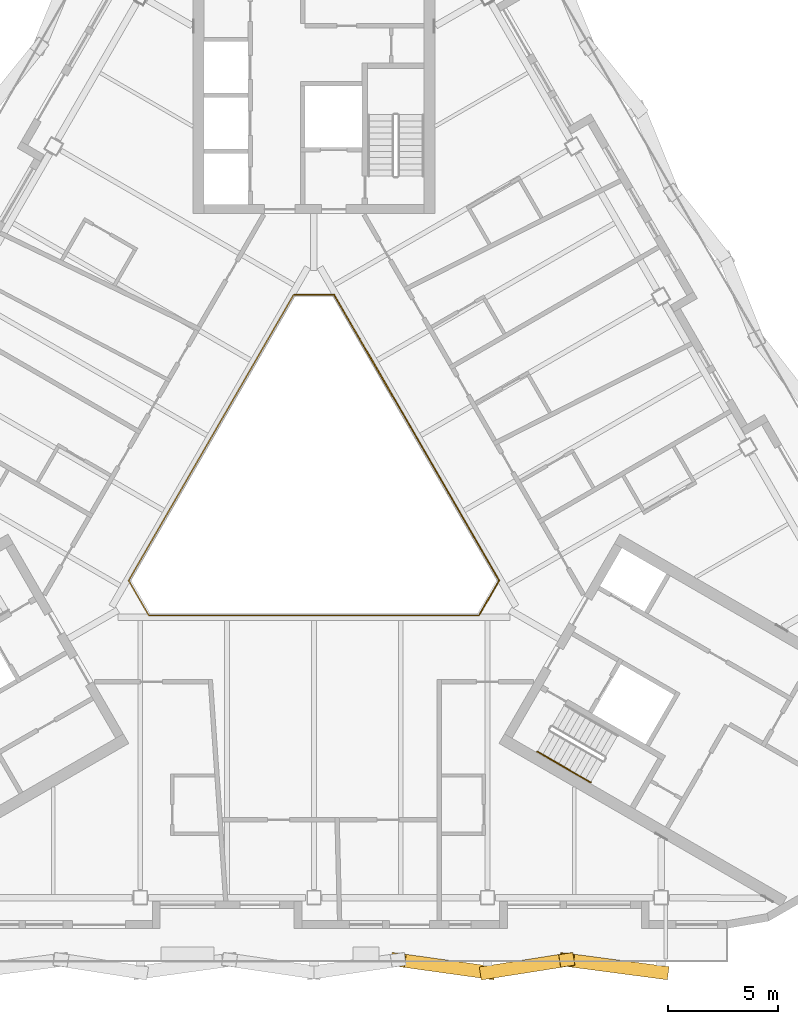
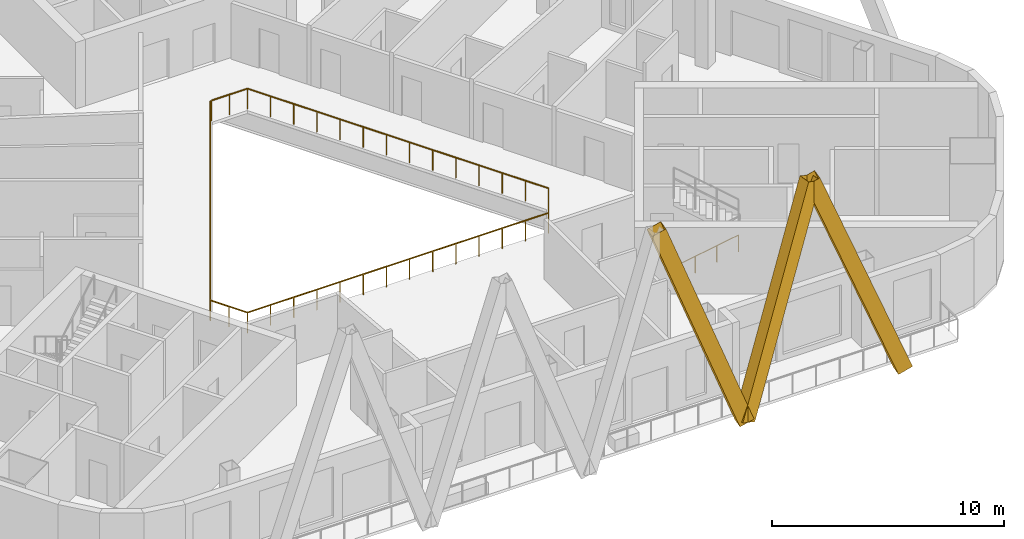
# One storey, part 15 of 18: 3 railings, 3 shading devices.
"""IFC4 building model written with IfcOpenShell, lengths in metres."""

import ifcopenshell
import ifcopenshell.guid

model = None  # the IFC model being written
_history = None  # IfcOwnerHistory: only IFC2X3 demands one
_inside = {}  # id of a spatial element -> (the spatial element, [elements in it])
_under = {}  # id of a project, library or spatial element -> (it, [spatial elements below it])
_declared = {}  # id of a project -> (the project, [libraries it declares])
_typed = {}  # id of a type object -> (the type object, [elements of that type])
_made_of = {}  # id of a material, layer set ... -> (it, [elements and type objects made of it])


def new_model(schema):
    """Start an empty IFC model of exactly this schema.

    Asked for "IFC4X3", IfcOpenShell would pick the latest addendum, in which some entities
    have other attributes; the version numbers below select the first issue.
    IFC2X3 requires an IfcOwnerHistory on every rooted entity: one is made here for all.
    """
    global model, _history
    if schema == "IFC4X3":
        model = ifcopenshell.file(schema_version=(4, 3, 0, 0))
    else:
        model = ifcopenshell.file(schema=schema)
    _inside.clear()
    _under.clear()
    _declared.clear()
    _typed.clear()
    _made_of.clear()
    _history = None
    if model.schema == "IFC2X3":
        org = make("IfcOrganization", Name="unknown")
        user = make(
            "IfcPersonAndOrganization",
            ThePerson=make("IfcPerson", FamilyName="unknown"),
            TheOrganization=org,
        )
        app = make(
            "IfcApplication",
            ApplicationDeveloper=org,
            Version="unknown",
            ApplicationFullName="unknown",
            ApplicationIdentifier="unknown",
        )
        _history = make(
            "IfcOwnerHistory",
            OwningUser=user,
            OwningApplication=app,
            ChangeAction="ADDED",
            CreationDate=0,
        )
    return model


def make(cls, **values):
    """One entity of the class cls with the attributes given. An attribute that is None is left unset."""
    return model.create_entity(
        cls, **{name: value for name, value in values.items() if value is not None}
    )


def rooted(cls, **values):
    """An entity with a GlobalId (a new one), such as an element, a storey or a relation."""
    return make(cls, GlobalId=ifcopenshell.guid.new(), OwnerHistory=_history, **values)


def si_unit(unit_type, name, prefix=None):
    """IfcSIUnit, for example si_unit("LENGTHUNIT", "METRE", prefix="MILLI")."""
    return make("IfcSIUnit", UnitType=unit_type, Prefix=prefix, Name=name)


def assignment(units):
    """IfcUnitAssignment: the units of a project."""
    return None if units is None else make("IfcUnitAssignment", Units=units)


def point(xyz):
    """IfcCartesianPoint."""
    return None if xyz is None else make("IfcCartesianPoint", Coordinates=xyz)


def direction(xyz):
    """IfcDirection."""
    return None if xyz is None else make("IfcDirection", DirectionRatios=xyz)


def frame(location, z_axis=None, x_axis=None):
    """IfcAxis2Placement3D, a coordinate frame: its origin and axes. An axis left out is left unset."""
    return make(
        "IfcAxis2Placement3D",
        Location=point(location),
        Axis=direction(z_axis),
        RefDirection=direction(x_axis),
    )


def frame_2d(location, x_axis=None):
    """IfcAxis2Placement2D, a coordinate frame in the plane: its origin and x axis."""
    return make(
        "IfcAxis2Placement2D", Location=point(location), RefDirection=direction(x_axis)
    )


def origin():
    """The frame at (0, 0, 0) with its axes left unset."""
    return frame((0.0, 0.0, 0.0))


def origin_2d():
    """The frame at (0, 0) in the plane with its x axis left unset."""
    return frame_2d((0.0, 0.0))


def place(relative_to, where):
    """IfcLocalPlacement: puts the frame where relative to a parent placement (None: the world)."""
    return make(
        "IfcLocalPlacement", PlacementRelTo=relative_to, RelativePlacement=where
    )


def context(
    kind, dimensions, precision=None, world=None, true_north=None, identifier=None
):
    """IfcGeometricRepresentationContext, for example the 3D "Model" context."""
    return make(
        "IfcGeometricRepresentationContext",
        ContextIdentifier=identifier,
        ContextType=kind,
        CoordinateSpaceDimension=dimensions,
        Precision=precision,
        WorldCoordinateSystem=world,
        TrueNorth=true_north,
    )


def subcontext(parent, identifier, kind, view, scale=None):
    """IfcGeometricRepresentationSubContext, for example "Body" below "Model"."""
    return make(
        "IfcGeometricRepresentationSubContext",
        ContextIdentifier=identifier,
        ContextType=kind,
        ParentContext=parent,
        TargetScale=scale,
        TargetView=view,
    )


def project(units=None, contexts=None):
    """IfcProject with its units and contexts."""
    return rooted(
        "IfcProject",
        Name="project",
        RepresentationContexts=contexts,
        UnitsInContext=assignment(units),
    )


def spatial(cls, under=None, at=None, **own):
    """A site, building, storey or space (cls), placed at a placement, below another one or the project."""
    s = rooted(cls, ObjectPlacement=at, **own)
    if under is not None:
        _under.setdefault(under.id(), (under, []))[1].append(s)
    return s


def profile(cls, at=None, kind="AREA", **sizes):
    """A parametric profile (cls). Its sizes go by their IFC names, for example OverallWidth=200.0."""
    return make(cls, ProfileType=kind, Position=at, **sizes)


def rectangle(**sizes):
    """IfcRectangleProfileDef."""
    return profile("IfcRectangleProfileDef", **sizes)


def hollow_rectangle(**sizes):
    """IfcRectangleHollowProfileDef."""
    return profile("IfcRectangleHollowProfileDef", **sizes)


def circle(**sizes):
    """IfcCircleProfileDef."""
    return profile("IfcCircleProfileDef", **sizes)


def extrude(swept, where, along, depth):
    """IfcExtrudedAreaSolid: the profile swept, set in the frame where, extruded along a direction by depth."""
    return make(
        "IfcExtrudedAreaSolid",
        SweptArea=swept,
        Position=where,
        ExtrudedDirection=direction(along),
        Depth=depth,
    )


def shape(context_of_items, identifier, shape_type, items):
    """IfcShapeRepresentation: the items that make up one representation, for example the "Body"."""
    return make(
        "IfcShapeRepresentation",
        ContextOfItems=context_of_items,
        RepresentationIdentifier=identifier,
        RepresentationType=shape_type,
        Items=items,
    )


def material(Name=None, Category=None):
    """IfcMaterial."""
    return make("IfcMaterial", Name=Name, Category=Category)


def material_profile(
    of_material, cross_section, Name=None, Category=None, Priority=None
):
    """IfcMaterialProfile: a cross section and its material."""
    return make(
        "IfcMaterialProfile",
        Name=Name,
        Material=of_material,
        Profile=cross_section,
        Priority=Priority,
        Category=Category,
    )


def profile_set(profiles, Name=None, composite=None):
    """IfcMaterialProfileSet."""
    return make(
        "IfcMaterialProfileSet",
        Name=Name,
        MaterialProfiles=profiles,
        CompositeProfile=composite,
    )


def made_of(thing, what):
    """Note that an element or type object is made of a material, layer set ...; save() writes the relation."""
    if what is not None:
        _made_of.setdefault(what.id(), (what, []))[1].append(thing)
    return thing


def type_object(cls, material=None, **own):
    """A type object (cls), such as IfcWallType, which elements share."""
    return made_of(rooted(cls, **own), material)


def element(
    cls,
    number,
    at=None,
    inside=None,
    cuts=None,
    type_object=None,
    material=None,
    context=None,
    identifier="Body",
    shape_type=None,
    held_by="IfcProductDefinitionShape",
    body=None,
    shapes=None,
    **own,
):
    """One element of the class cls, such as IfcWall. Its Tag is "e" and its number.

    at: its placement. inside: the storey or other place that contains it. cuts: it is an
    opening in that element (IfcRelVoidsElement). A single representation is given by context,
    identifier, shape_type and body (its items); several are given by shapes. held_by: the class
    of the entity that holds the representations. save() writes the other relations.
    """
    e = rooted(cls, Tag="e%d" % number, ObjectPlacement=at, **own)
    if body is not None:
        shapes = [shape(context, identifier, shape_type, body)]
    if shapes is not None:
        e.Representation = make(held_by, Representations=shapes)
    if inside is not None:
        _inside.setdefault(inside.id(), (inside, []))[1].append(e)
    if cuts is not None:
        rooted(
            "IfcRelVoidsElement", RelatingBuildingElement=cuts, RelatedOpeningElement=e
        )
    if type_object is not None:
        _typed.setdefault(type_object.id(), (type_object, []))[1].append(e)
    return made_of(e, material)


def aggregate(whole, parts):
    """IfcRelAggregates: a whole, such as a stair, and the parts it consists of."""
    return rooted("IfcRelAggregates", RelatingObject=whole, RelatedObjects=parts)


def save(model, path):
    """Write the relations noted so far, then the file.

    IfcRelAggregates (storeys below a building ...), IfcRelContainedInSpatialStructure (elements
    in a storey), IfcRelDefinesByType, IfcRelAssociatesMaterial and IfcRelDeclares: one each for
    every whole, place, type object, material and project.
    """
    for whole, parts in _under.values():
        aggregate(whole, parts)
    for where, things in _inside.values():
        rooted(
            "IfcRelContainedInSpatialStructure",
            RelatedElements=things,
            RelatingStructure=where,
        )
    for kind, things in _typed.values():
        rooted("IfcRelDefinesByType", RelatedObjects=things, RelatingType=kind)
    for what, things in _made_of.values():
        rooted("IfcRelAssociatesMaterial", RelatedObjects=things, RelatingMaterial=what)
    for by, libraries in _declared.values():
        rooted("IfcRelDeclares", RelatingContext=by, RelatedDefinitions=libraries)
    model.write(path)


model = new_model("IFC4")

# Units and contexts
model_context = context("Model", 3, precision=1e-05, world=origin(), true_north=direction((0.0, 1.0)))
body_context = subcontext(model_context, "Body", "Model", "MODEL_VIEW")
ifc_project = project(units=[si_unit("LENGTHUNIT", "METRE"), si_unit("AREAUNIT", "SQUARE_METRE"), si_unit("VOLUMEUNIT", "CUBIC_METRE"), si_unit("PLANEANGLEUNIT", "RADIAN"), si_unit("MASSUNIT", "GRAM", prefix="KILO")], contexts=[model_context])

# Site, building, storey
site_placement = place(None, origin())
site = spatial("IfcSite", under=ifc_project, at=site_placement, CompositionType="ELEMENT")
building_placement = place(site_placement, origin())
building = spatial("IfcBuilding", under=site, at=building_placement, Name="Apuvela Tower Hotel", CompositionType="ELEMENT")
storey_placement = place(building_placement, frame((0.0, 0.0, 246.699951171875)))
storey = spatial("IfcBuildingStorey", under=building, at=storey_placement, Name="L60", CompositionType="ELEMENT", Elevation=246.699951171875)

# Railing
ifc_material_1 = material(Name="Stainless steel 316 handrail", Category="steel")
railing_type_1 = type_object("IfcRailingType", Name="COR-HANDRAIL-900", PredefinedType="HANDRAIL", material=ifc_material_1)
railing_1_placement = place(storey_placement, frame((10.1689453125, -11.5869140625, 0.168212890625)))
element("IfcRailing", 1, at=railing_1_placement, inside=storey, type_object=railing_type_1, Name="L60 ST3 stair handrail 1", PredefinedType="HANDRAIL", context=body_context, shape_type="SweptSolid", body=[
    extrude(circle(Radius=0.02392578125, at=origin_2d()), frame((0.0, 0.0, 0.8759765625), z_axis=(0.742390482028, -0.42860119049, 0.514934356695), x_axis=(0.49998411664, 0.866034573852, 0.0)), (0.0, 0.0, 1.0), 3.26611328125),
    extrude(rectangle(XDim=0.0419921875, YDim=0.0419921875, at=origin_2d()), origin(), (0.0, 0.0, 1.0), 0.851806640625),
    extrude(rectangle(XDim=0.0419921875, YDim=0.0419921875, at=origin_2d()), frame((0.808349609375, -0.466552734375, 0.560546875)), (0.0, 0.0, 1.0), 0.851806640625),
    extrude(rectangle(XDim=0.0419921875, YDim=0.0419921875, at=origin_2d()), frame((1.616455078125, -0.933349609375, 1.121337890625)), (0.0, 0.0, 1.0), 0.851806640625),
    extrude(rectangle(XDim=0.0419921875, YDim=0.0419921875, at=origin_2d()), frame((2.4248046875, -1.39990234375, 1.681884765625)), (0.0, 0.0, 1.0), 0.851806640625),
])

# Shading devices
ifc_material_2 = material(Name="Aluminium 6063-T6, black anodised", Category="aluminium")
ifc_material_profile = material_profile(ifc_material_2, hollow_rectangle(XDim=0.60009765625, YDim=0.699951171875, WallThickness=0.011962890625, at=origin_2d()), Name="AL BOX 700x600x12")
ifc_profile_set = profile_set([ifc_material_profile], Name="Aluminium 6063-T6, black anodised")
shading_device_type = type_object("IfcShadingDeviceType", Name="ENV-FIN-700x600", PredefinedType="USERDEFINED", material=ifc_profile_set)
shading_device_1_placement = place(storey_placement, frame((7.89990234375, -21.6298828125, -0.099853515625), z_axis=(-0.343413845708, 0.047903817718, 0.937961702216), x_axis=(-0.138155314048, -0.990410576075, 0.0)))
element("IfcShadingDevice", 2, at=shading_device_1_placement, inside=storey, type_object=shading_device_type, Name="Lattice fin S534", ObjectType="FIN", PredefinedType="USERDEFINED", context=body_context, shape_type="SweptSolid", body=[
    extrude(hollow_rectangle(XDim=0.60009765625, YDim=0.699951171875, WallThickness=0.011962890625, at=origin_2d()), origin(), (0.0, 0.0, 1.0), 11.833984375),
])
shading_device_2_placement = place(storey_placement, frame((7.89990234375, -21.6298828125, -0.099853515625), z_axis=(0.30875756098, 0.048513672797, 0.949902727699), x_axis=(-0.155221058729, 0.987879761371, 0.0)))
element("IfcShadingDevice", 3, at=shading_device_2_placement, inside=storey, type_object=shading_device_type, Name="Lattice fin S535", ObjectType="FIN", PredefinedType="USERDEFINED", context=body_context, shape_type="SweptSolid", body=[
    extrude(hollow_rectangle(XDim=0.60009765625, YDim=0.699951171875, WallThickness=0.011962890625, at=origin_2d()), origin(), (0.0, 0.0, 1.0), 11.685302734375),
])
shading_device_3_placement = place(storey_placement, frame((15.800048828125, -21.6298828125, -0.099853515625), z_axis=(-0.360258113368, 0.047580873627, 0.931638423541), x_axis=(-0.130937323536, -0.991390648183, 0.0)))
element("IfcShadingDevice", 4, at=shading_device_3_placement, inside=storey, type_object=shading_device_type, Name="Lattice fin S536", ObjectType="FIN", PredefinedType="USERDEFINED", context=body_context, shape_type="SweptSolid", body=[
    extrude(hollow_rectangle(XDim=0.60009765625, YDim=0.699951171875, WallThickness=0.011962890625, at=origin_2d()), origin(), (0.0, 0.0, 1.0), 11.914306640625),
])

# Railings
ifc_material_3 = material(Name="Stainless steel 316 rail with laminated glass infill", Category="steel")
railing_type_2 = type_object("IfcRailingType", Name="ENV-GUARD-1100", PredefinedType="GUARDRAIL", material=ifc_material_3)
railing_2_placement = place(storey_placement, frame((-0.923828125, 9.199951171875, 0.0)))
element("IfcRailing", 5, at=railing_2_placement, inside=storey, type_object=railing_type_2, Name="Atrium void guard A L60", PredefinedType="GUARDRAIL", context=body_context, shape_type="SweptSolid", body=[
    extrude(rectangle(XDim=0.050048828125, YDim=0.050048828125, at=origin_2d()), frame((0.0, 0.0, 1.0751953125), z_axis=(-0.499990886379, -0.866030665472, 0.0), x_axis=(0.866030665472, -0.499990886379, 0.0)), (0.0, 0.0, 1.0), 15.010986328125),
    extrude(rectangle(XDim=0.050048828125, YDim=0.050048828125, at=origin_2d()), frame((-7.50537109375, -13.0, 1.0751953125), z_axis=(0.499962699187, -0.866046938348, 0.0), x_axis=(0.866046938348, 0.499962699187, 0.0)), (0.0, 0.0, 1.0), 1.847412109375),
    extrude(rectangle(XDim=0.050048828125, YDim=0.050048828125, at=origin_2d()), frame((-6.581787109375, -14.599853515625, 1.0751953125), z_axis=(1.0, 0.0, 0.0), x_axis=(0.0, 1.0, 0.0)), (0.0, 0.0, 1.0), 15.01123046875),
    extrude(rectangle(XDim=0.0400390625, YDim=0.0400390625, at=origin_2d()), origin(), (0.0, 0.0, 1.0), 1.050048828125),
    extrude(rectangle(XDim=0.0400390625, YDim=0.0400390625, at=origin_2d()), frame((-0.577392578125, -1.0, 0.0)), (0.0, 0.0, 1.0), 1.050048828125),
    extrude(rectangle(XDim=0.0400390625, YDim=0.0400390625, at=origin_2d()), frame((-1.15478515625, -2.0, 0.0)), (0.0, 0.0, 1.0), 1.050048828125),
    extrude(rectangle(XDim=0.0400390625, YDim=0.0400390625, at=origin_2d()), frame((-1.73193359375, -3.0, 0.0)), (0.0, 0.0, 1.0), 1.050048828125),
    extrude(rectangle(XDim=0.0400390625, YDim=0.0400390625, at=origin_2d()), frame((-2.309326171875, -4.0, 0.0)), (0.0, 0.0, 1.0), 1.050048828125),
    extrude(rectangle(XDim=0.0400390625, YDim=0.0400390625, at=origin_2d()), frame((-2.88671875, -5.0, 0.0)), (0.0, 0.0, 1.0), 1.050048828125),
    extrude(rectangle(XDim=0.0400390625, YDim=0.0400390625, at=origin_2d()), frame((-3.464111328125, -6.0, 0.0)), (0.0, 0.0, 1.0), 1.050048828125),
    extrude(rectangle(XDim=0.0400390625, YDim=0.0400390625, at=origin_2d()), frame((-4.041259765625, -7.0, 0.0)), (0.0, 0.0, 1.0), 1.050048828125),
    extrude(rectangle(XDim=0.0400390625, YDim=0.0400390625, at=origin_2d()), frame((-4.61865234375, -8.0, 0.0)), (0.0, 0.0, 1.0), 1.050048828125),
    extrude(rectangle(XDim=0.0400390625, YDim=0.0400390625, at=origin_2d()), frame((-5.196044921875, -9.0, 0.0)), (0.0, 0.0, 1.0), 1.050048828125),
    extrude(rectangle(XDim=0.0400390625, YDim=0.0400390625, at=origin_2d()), frame((-5.7734375, -10.0, 0.0)), (0.0, 0.0, 1.0), 1.050048828125),
    extrude(rectangle(XDim=0.0400390625, YDim=0.0400390625, at=origin_2d()), frame((-6.3505859375, -11.0, 0.0)), (0.0, 0.0, 1.0), 1.050048828125),
    extrude(rectangle(XDim=0.0400390625, YDim=0.0400390625, at=origin_2d()), frame((-6.927978515625, -12.0, 0.0)), (0.0, 0.0, 1.0), 1.050048828125),
    extrude(rectangle(XDim=0.0400390625, YDim=0.0400390625, at=origin_2d()), frame((-7.50537109375, -13.0, 0.0)), (0.0, 0.0, 1.0), 1.050048828125),
    extrude(rectangle(XDim=0.0400390625, YDim=0.0400390625, at=origin_2d()), frame((-7.04345703125, -13.7998046875, 0.0)), (0.0, 0.0, 1.0), 1.050048828125),
    extrude(rectangle(XDim=0.0400390625, YDim=0.0400390625, at=origin_2d()), frame((-6.581787109375, -14.599853515625, 0.0)), (0.0, 0.0, 1.0), 1.050048828125),
    extrude(rectangle(XDim=0.0400390625, YDim=0.0400390625, at=origin_2d()), frame((-5.427001953125, -14.599853515625, 0.0)), (0.0, 0.0, 1.0), 1.050048828125),
    extrude(rectangle(XDim=0.0400390625, YDim=0.0400390625, at=origin_2d()), frame((-4.2724609375, -14.599853515625, 0.0)), (0.0, 0.0, 1.0), 1.050048828125),
    extrude(rectangle(XDim=0.0400390625, YDim=0.0400390625, at=origin_2d()), frame((-3.11767578125, -14.599853515625, 0.0)), (0.0, 0.0, 1.0), 1.050048828125),
    extrude(rectangle(XDim=0.0400390625, YDim=0.0400390625, at=origin_2d()), frame((-1.962890625, -14.599853515625, 0.0)), (0.0, 0.0, 1.0), 1.050048828125),
    extrude(rectangle(XDim=0.0400390625, YDim=0.0400390625, at=origin_2d()), frame((-0.808349609375, -14.599853515625, 0.0)), (0.0, 0.0, 1.0), 1.050048828125),
    extrude(rectangle(XDim=0.0400390625, YDim=0.0400390625, at=origin_2d()), frame((0.346435546875, -14.599853515625, 0.0)), (0.0, 0.0, 1.0), 1.050048828125),
    extrude(rectangle(XDim=0.0400390625, YDim=0.0400390625, at=origin_2d()), frame((1.501220703125, -14.599853515625, 0.0)), (0.0, 0.0, 1.0), 1.050048828125),
    extrude(rectangle(XDim=0.0400390625, YDim=0.0400390625, at=origin_2d()), frame((2.656005859375, -14.599853515625, 0.0)), (0.0, 0.0, 1.0), 1.050048828125),
    extrude(rectangle(XDim=0.0400390625, YDim=0.0400390625, at=origin_2d()), frame((3.810546875, -14.599853515625, 0.0)), (0.0, 0.0, 1.0), 1.050048828125),
    extrude(rectangle(XDim=0.0400390625, YDim=0.0400390625, at=origin_2d()), frame((4.96533203125, -14.599853515625, 0.0)), (0.0, 0.0, 1.0), 1.050048828125),
    extrude(rectangle(XDim=0.0400390625, YDim=0.0400390625, at=origin_2d()), frame((6.1201171875, -14.599853515625, 0.0)), (0.0, 0.0, 1.0), 1.050048828125),
    extrude(rectangle(XDim=0.0400390625, YDim=0.0400390625, at=origin_2d()), frame((7.274658203125, -14.599853515625, 0.0)), (0.0, 0.0, 1.0), 1.050048828125),
    extrude(rectangle(XDim=0.0400390625, YDim=0.0400390625, at=origin_2d()), frame((8.429443359375, -14.599853515625, 0.0)), (0.0, 0.0, 1.0), 1.050048828125),
])
railing_3_placement = place(storey_placement, frame((7.53564453125, -5.347900390625, 0.0)))
element("IfcRailing", 6, at=railing_3_placement, inside=storey, type_object=railing_type_2, Name="Atrium void guard B L60", PredefinedType="GUARDRAIL", context=body_context, shape_type="SweptSolid", body=[
    extrude(rectangle(XDim=0.050048828125, YDim=0.050048828125, at=origin_2d()), frame((0.0, 0.0, 1.0751953125), z_axis=(0.499958946799, 0.866049104564, 0.0), x_axis=(-0.866049104564, 0.499958946799, 0.0)), (0.0, 0.0, 1.0), 1.787353515625),
    extrude(rectangle(XDim=0.050048828125, YDim=0.050048828125, at=origin_2d()), frame((0.8935546875, 1.5478515625, 1.0751953125), z_axis=(-0.499990886379, 0.866030665472, 0.0), x_axis=(-0.866030665472, -0.499990886379, 0.0)), (0.0, 0.0, 1.0), 15.010986328125),
    extrude(rectangle(XDim=0.050048828125, YDim=0.050048828125, at=origin_2d()), frame((-6.61181640625, 14.5478515625, 1.0751953125), z_axis=(-1.0, 0.0, 0.0), x_axis=(0.0, -1.0, 0.0)), (0.0, 0.0, 1.0), 1.78759765625),
    extrude(rectangle(XDim=0.0400390625, YDim=0.0400390625, at=origin_2d()), origin(), (0.0, 0.0, 1.0), 1.050048828125),
    extrude(rectangle(XDim=0.0400390625, YDim=0.0400390625, at=origin_2d()), frame((0.44677734375, 0.77392578125, 0.0)), (0.0, 0.0, 1.0), 1.050048828125),
    extrude(rectangle(XDim=0.0400390625, YDim=0.0400390625, at=origin_2d()), frame((0.8935546875, 1.5478515625, 0.0)), (0.0, 0.0, 1.0), 1.050048828125),
    extrude(rectangle(XDim=0.0400390625, YDim=0.0400390625, at=origin_2d()), frame((0.316162109375, 2.5478515625, 0.0)), (0.0, 0.0, 1.0), 1.050048828125),
    extrude(rectangle(XDim=0.0400390625, YDim=0.0400390625, at=origin_2d()), frame((-0.26123046875, 3.5478515625, 0.0)), (0.0, 0.0, 1.0), 1.050048828125),
    extrude(rectangle(XDim=0.0400390625, YDim=0.0400390625, at=origin_2d()), frame((-0.83837890625, 4.5478515625, 0.0)), (0.0, 0.0, 1.0), 1.050048828125),
    extrude(rectangle(XDim=0.0400390625, YDim=0.0400390625, at=origin_2d()), frame((-1.415771484375, 5.5478515625, 0.0)), (0.0, 0.0, 1.0), 1.050048828125),
    extrude(rectangle(XDim=0.0400390625, YDim=0.0400390625, at=origin_2d()), frame((-1.9931640625, 6.5478515625, 0.0)), (0.0, 0.0, 1.0), 1.050048828125),
    extrude(rectangle(XDim=0.0400390625, YDim=0.0400390625, at=origin_2d()), frame((-2.570556640625, 7.5478515625, 0.0)), (0.0, 0.0, 1.0), 1.050048828125),
    extrude(rectangle(XDim=0.0400390625, YDim=0.0400390625, at=origin_2d()), frame((-3.147705078125, 8.5478515625, 0.0)), (0.0, 0.0, 1.0), 1.050048828125),
    extrude(rectangle(XDim=0.0400390625, YDim=0.0400390625, at=origin_2d()), frame((-3.72509765625, 9.5478515625, 0.0)), (0.0, 0.0, 1.0), 1.050048828125),
    extrude(rectangle(XDim=0.0400390625, YDim=0.0400390625, at=origin_2d()), frame((-4.302490234375, 10.5478515625, 0.0)), (0.0, 0.0, 1.0), 1.050048828125),
    extrude(rectangle(XDim=0.0400390625, YDim=0.0400390625, at=origin_2d()), frame((-4.8798828125, 11.5478515625, 0.0)), (0.0, 0.0, 1.0), 1.050048828125),
    extrude(rectangle(XDim=0.0400390625, YDim=0.0400390625, at=origin_2d()), frame((-5.45703125, 12.5478515625, 0.0)), (0.0, 0.0, 1.0), 1.050048828125),
    extrude(rectangle(XDim=0.0400390625, YDim=0.0400390625, at=origin_2d()), frame((-6.034423828125, 13.5478515625, 0.0)), (0.0, 0.0, 1.0), 1.050048828125),
    extrude(rectangle(XDim=0.0400390625, YDim=0.0400390625, at=origin_2d()), frame((-6.61181640625, 14.5478515625, 0.0)), (0.0, 0.0, 1.0), 1.050048828125),
    extrude(rectangle(XDim=0.0400390625, YDim=0.0400390625, at=origin_2d()), frame((-7.505615234375, 14.5478515625, 0.0)), (0.0, 0.0, 1.0), 1.050048828125),
    extrude(rectangle(XDim=0.0400390625, YDim=0.0400390625, at=origin_2d()), frame((-8.3994140625, 14.5478515625, 0.0)), (0.0, 0.0, 1.0), 1.050048828125),
])

save(model, "model.ifc")
